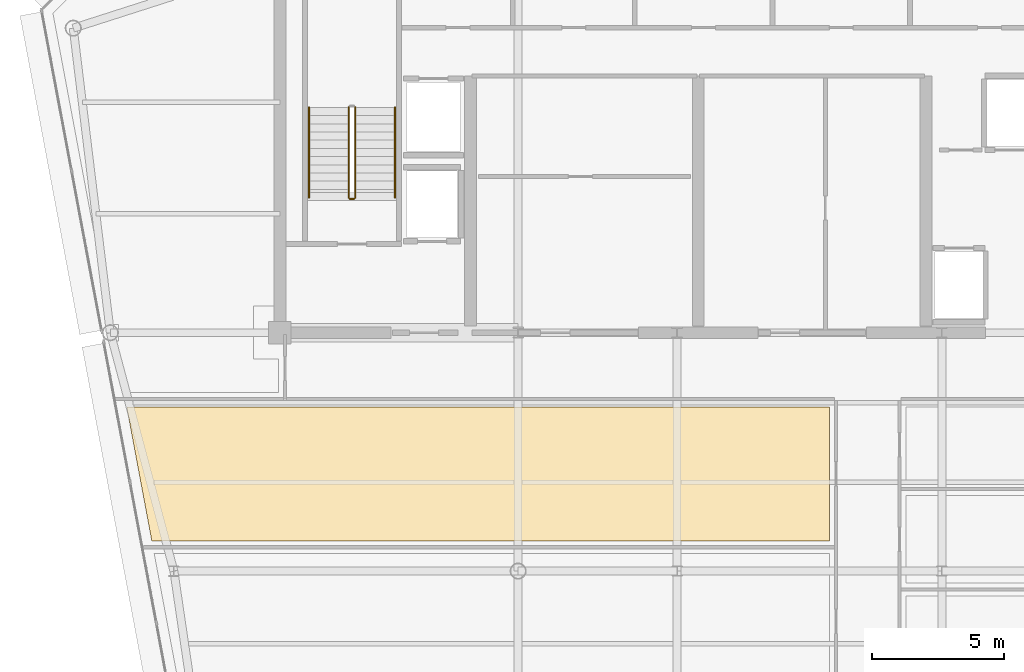
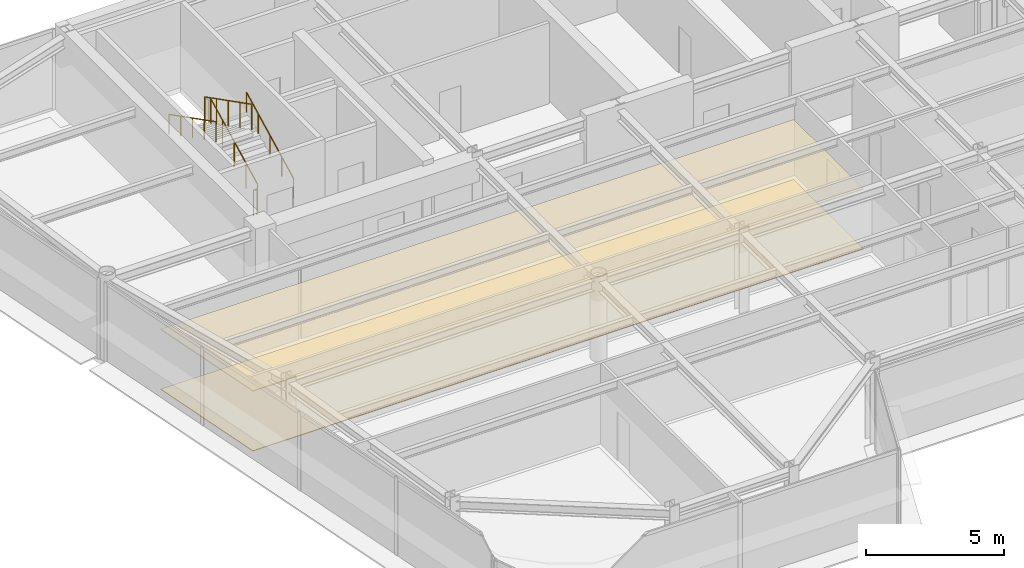
# One storey, part 15 of 20: 5 railings, 2 coverings.
"""IFC4 building model written with IfcOpenShell, lengths in metres."""

from ifc_helpers import new_model, si_unit, direction, frame, origin, origin_2d, place, context, subcontext, project, spatial, polyline, circle, outline, extrude, material, layer, layer_set, type_object, element, save


model = new_model("IFC4")

# Units and contexts
model_context = context("Model", 3, precision=1e-05, world=origin(), true_north=direction((0.0, 1.0)))
body_context = subcontext(model_context, "Body", "Model", "MODEL_VIEW")
ifc_project = project(units=[si_unit("LENGTHUNIT", "METRE"), si_unit("AREAUNIT", "SQUARE_METRE"), si_unit("VOLUMEUNIT", "CUBIC_METRE"), si_unit("PLANEANGLEUNIT", "RADIAN"), si_unit("MASSUNIT", "GRAM", prefix="KILO")], contexts=[model_context])

# Site, building, storey
site_placement = place(None, origin())
site = spatial("IfcSite", under=ifc_project, at=site_placement, CompositionType="ELEMENT")
building_placement = place(site_placement, origin())
building = spatial("IfcBuilding", under=site, at=building_placement, Name="Vaeldorn Concourse Tower", CompositionType="ELEMENT")
storey_placement = place(building_placement, frame((0.0, 0.0, 295.39990234375)))
storey = spatial("IfcBuildingStorey", under=building, at=storey_placement, Name="L76", CompositionType="ELEMENT", Elevation=295.39990234375)

# Coverings
ifc_material_1 = material(Name="Acoustic Mineral Fibre Board", Category="gypsum")
ifc_layer_1 = layer(ifc_material_1, 0.0400390625)
ifc_layer_set_1 = layer_set([ifc_layer_1], Name="Acoustic Mineral Fibre Board")
covering_type_1 = type_object("IfcCoveringType", Name="COV-CEIL-ACOUSTIC", PredefinedType="CEILING", material=ifc_layer_set_1)
covering_1_placement = place(storey_placement, frame((0.0, 0.0, 2.650146484375)))
element("IfcCovering", 1, at=covering_1_placement, inside=storey, type_object=covering_type_1, Name="Suspended Acoustic Ceiling L76-7", PredefinedType="CEILING", context=body_context, shape_type="SweptSolid", body=[
    extrude(outline(polyline([(34.760009765625, 33.699951171875), (34.760009765625, 28.639892578125), (9.167236328125, 28.639892578125), (8.21875, 33.699951171875), (34.760009765625, 33.699951171875)])), origin(), (0.0, 0.0, 1.0), 0.0400390625),
])
ifc_material_2 = material(Name="Honed Limestone Terrazzo Flooring", Category="masonry")
ifc_layer_2 = layer(ifc_material_2, 0.0400390625)
ifc_layer_set_2 = layer_set([ifc_layer_2], Name="Honed Limestone Terrazzo Flooring")
covering_type_2 = type_object("IfcCoveringType", Name="COV-FLOOR-STONE", PredefinedType="FLOORING", material=ifc_layer_set_2)
covering_2_placement = place(storey_placement, origin())
element("IfcCovering", 2, at=covering_2_placement, inside=storey, type_object=covering_type_2, Name="Floor Finish Covering L76-7", PredefinedType="FLOORING", context=body_context, shape_type="SweptSolid", body=[
    extrude(outline(polyline([(34.760009765625, 33.699951171875), (34.760009765625, 28.639892578125), (9.167236328125, 28.639892578125), (8.21875, 33.699951171875), (34.760009765625, 33.699951171875)])), origin(), (0.0, 0.0, 1.0), 0.030029296875),
])

# Railings
ifc_material_3 = material(Name="Anodised Bronze Aluminium", Category="aluminium")
railing_type_1 = type_object("IfcRailingType", Name="RL-STAIR-GUARD", PredefinedType="GUARDRAIL", material=ifc_material_3)
railing_1_placement = place(storey_placement, frame((16.85009765625, 41.60009765625, 0.158447265625)))
element("IfcRailing", 3, at=railing_1_placement, inside=storey, type_object=railing_type_1, Name="L76 ST-1 stair guard 1", PredefinedType="GUARDRAIL", context=body_context, shape_type="SweptSolid", body=[
    extrude(circle(Radius=0.02392578125, at=origin_2d()), frame((0.0, 0.0, 1.1259765625), z_axis=(0.0, 0.890555807335, 0.454873997962), x_axis=(-1.0, 0.0, 0.0)), (0.0, 0.0, 1.0), 3.828857421875),
    extrude(circle(Radius=0.02099609375, at=origin_2d()), origin(), (0.0, 0.0, 1.0), 1.101806640625),
    extrude(circle(Radius=0.02099609375, at=origin_2d()), frame((0.0, 0.8525390625, 0.435546875)), (0.0, 0.0, 1.0), 1.101806640625),
    extrude(circle(Radius=0.02099609375, at=origin_2d()), frame((0.0, 1.705078125, 0.870849609375)), (0.0, 0.0, 1.0), 1.101806640625),
    extrude(circle(Radius=0.02099609375, at=origin_2d()), frame((0.0, 2.557373046875, 1.30615234375)), (0.0, 0.0, 1.0), 1.101806640625),
    extrude(circle(Radius=0.02099609375, at=origin_2d()), frame((0.0, 3.409912109375, 1.74169921875)), (0.0, 0.0, 1.0), 1.101806640625),
])
railing_2_placement = place(storey_placement, frame((16.60009765625, 45.010009765625, 2.058349609375)))
element("IfcRailing", 4, at=railing_2_placement, inside=storey, type_object=railing_type_1, Name="L76 ST-1 stair guard 3", PredefinedType="GUARDRAIL", context=body_context, shape_type="SweptSolid", body=[
    extrude(circle(Radius=0.02392578125, at=origin_2d()), frame((0.0, 0.0, 1.1259765625), z_axis=(0.0, -0.890555807335, 0.454873997962), x_axis=(1.0, 0.0, 0.0)), (0.0, 0.0, 1.0), 3.828857421875),
    extrude(circle(Radius=0.02099609375, at=origin_2d()), origin(), (0.0, 0.0, 1.0), 1.101806640625),
    extrude(circle(Radius=0.02099609375, at=origin_2d()), frame((0.0, -0.8525390625, 0.435546875)), (0.0, 0.0, 1.0), 1.101806640625),
    extrude(circle(Radius=0.02099609375, at=origin_2d()), frame((0.0, -1.705078125, 0.870849609375)), (0.0, 0.0, 1.0), 1.101806640625),
    extrude(circle(Radius=0.02099609375, at=origin_2d()), frame((0.0, -2.557373046875, 1.30615234375)), (0.0, 0.0, 1.0), 1.101806640625),
    extrude(circle(Radius=0.02099609375, at=origin_2d()), frame((0.0, -3.409912109375, 1.74169921875)), (0.0, 0.0, 1.0), 1.101806640625),
])
railing_3_placement = place(storey_placement, frame((16.800048828125, 41.550048828125, 0.0)))
element("IfcRailing", 5, at=railing_3_placement, inside=storey, type_object=railing_type_1, Name="L76 ST-1 stair guard 4", PredefinedType="GUARDRAIL", context=body_context, shape_type="SweptSolid", body=[
    extrude(circle(Radius=0.02392578125, at=origin_2d()), frame((0.0, 0.0, 1.1259765625), z_axis=(-1.0, 0.0, 0.0), x_axis=(0.0, -1.0, 0.0)), (0.0, 0.0, 1.0), 0.150146484375),
    extrude(circle(Radius=0.02099609375, at=origin_2d()), origin(), (0.0, 0.0, 1.0), 1.101806640625),
    extrude(circle(Radius=0.02099609375, at=origin_2d()), frame((-0.150146484375, 0.0, 0.0)), (0.0, 0.0, 1.0), 1.101806640625),
])
railing_type_2 = type_object("IfcRailingType", Name="RL-STAIR-HANDRAIL", PredefinedType="HANDRAIL", material=ifc_material_3)
railing_4_placement = place(storey_placement, frame((18.35009765625, 41.60009765625, 0.158447265625)))
element("IfcRailing", 6, at=railing_4_placement, inside=storey, type_object=railing_type_2, Name="L76 ST-1 stair handrail 1", PredefinedType="HANDRAIL", context=body_context, shape_type="SweptSolid", body=[
    extrude(circle(Radius=0.02392578125, at=origin_2d()), frame((0.0, 0.0, 0.8759765625), z_axis=(0.0, 0.890555807335, 0.454873997962), x_axis=(-1.0, 0.0, 0.0)), (0.0, 0.0, 1.0), 3.828857421875),
    extrude(circle(Radius=0.02099609375, at=origin_2d()), origin(), (0.0, 0.0, 1.0), 0.851806640625),
    extrude(circle(Radius=0.02099609375, at=origin_2d()), frame((0.0, 0.8525390625, 0.435546875)), (0.0, 0.0, 1.0), 0.851806640625),
    extrude(circle(Radius=0.02099609375, at=origin_2d()), frame((0.0, 1.705078125, 0.870849609375)), (0.0, 0.0, 1.0), 0.851806640625),
    extrude(circle(Radius=0.02099609375, at=origin_2d()), frame((0.0, 2.557373046875, 1.30615234375)), (0.0, 0.0, 1.0), 0.851806640625),
    extrude(circle(Radius=0.02099609375, at=origin_2d()), frame((0.0, 3.409912109375, 1.74169921875)), (0.0, 0.0, 1.0), 0.851806640625),
])
railing_5_placement = place(storey_placement, frame((15.10009765625, 45.010009765625, 2.058349609375)))
element("IfcRailing", 7, at=railing_5_placement, inside=storey, type_object=railing_type_2, Name="L76 ST-1 stair handrail 2", PredefinedType="HANDRAIL", context=body_context, shape_type="SweptSolid", body=[
    extrude(circle(Radius=0.02392578125, at=origin_2d()), frame((0.0, 0.0, 0.8759765625), z_axis=(0.0, -0.890555807335, 0.454873997962), x_axis=(1.0, 0.0, 0.0)), (0.0, 0.0, 1.0), 3.828857421875),
    extrude(circle(Radius=0.02099609375, at=origin_2d()), origin(), (0.0, 0.0, 1.0), 0.851806640625),
    extrude(circle(Radius=0.02099609375, at=origin_2d()), frame((0.0, -0.8525390625, 0.435546875)), (0.0, 0.0, 1.0), 0.851806640625),
    extrude(circle(Radius=0.02099609375, at=origin_2d()), frame((0.0, -1.705078125, 0.870849609375)), (0.0, 0.0, 1.0), 0.851806640625),
    extrude(circle(Radius=0.02099609375, at=origin_2d()), frame((0.0, -2.557373046875, 1.30615234375)), (0.0, 0.0, 1.0), 0.851806640625),
    extrude(circle(Radius=0.02099609375, at=origin_2d()), frame((0.0, -3.409912109375, 1.74169921875)), (0.0, 0.0, 1.0), 0.851806640625),
])

save(model, "model.ifc")
